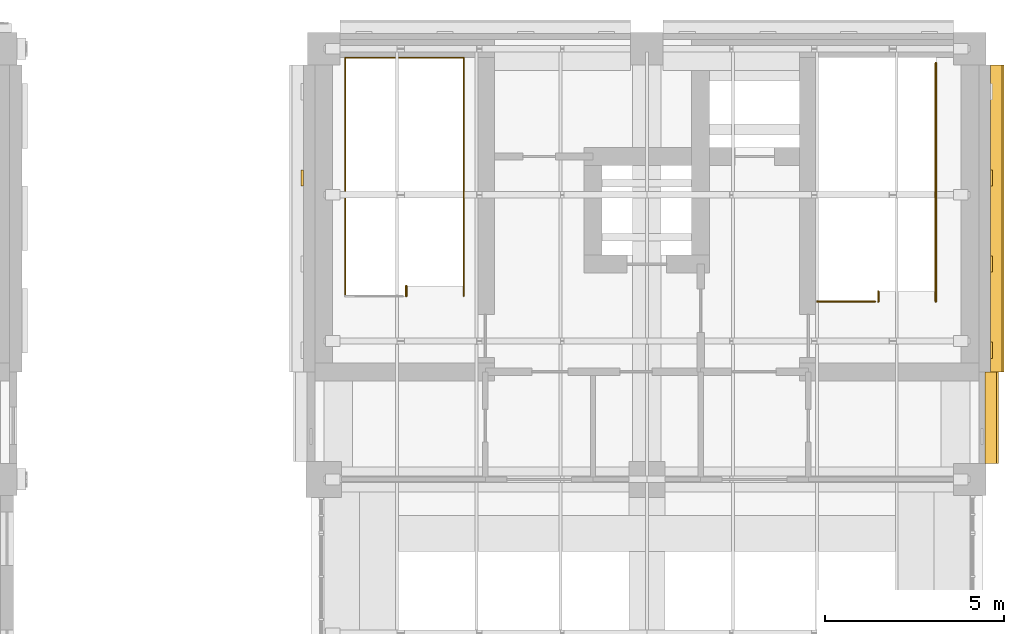
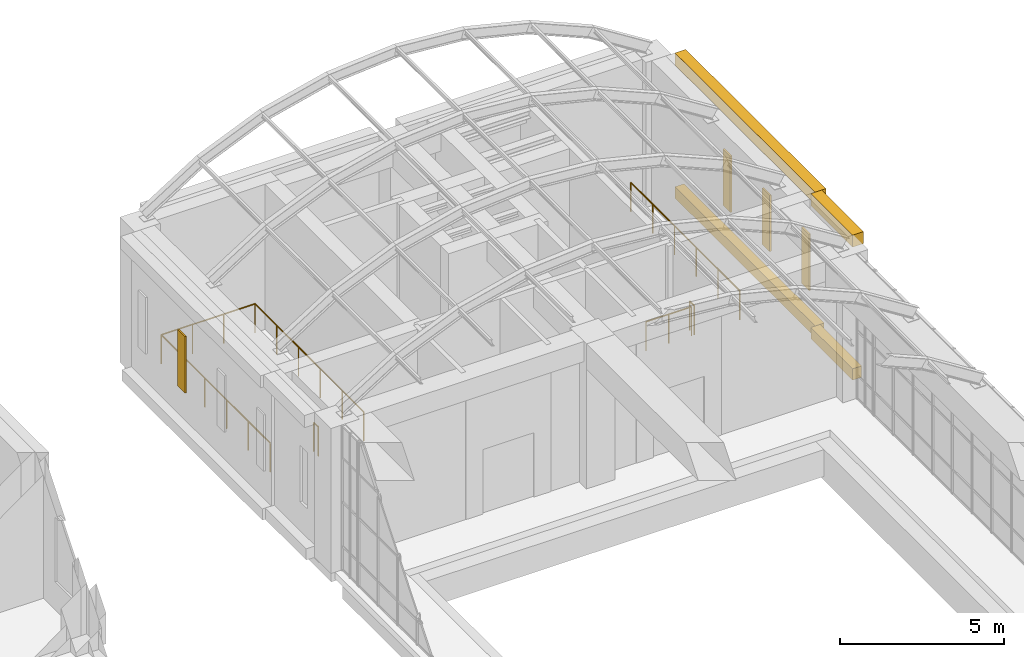
# One storey, part 35 of 39: 8 coverings, 5 railings.
"""IFC4 building model written with IfcOpenShell, lengths in metres."""

from ifc_helpers import new_model, si_unit, direction, frame, origin, origin_2d, place, context, subcontext, project, spatial, rectangle, circle, extrude, material, layer, layer_set, type_object, element, save


model = new_model("IFC4")

# Units and contexts
model_context = context("Model", 3, precision=1e-05, world=origin(), true_north=direction((0.0, 1.0)))
body_context = subcontext(model_context, "Body", "Model", "MODEL_VIEW")
ifc_project = project(units=[si_unit("LENGTHUNIT", "METRE"), si_unit("AREAUNIT", "SQUARE_METRE"), si_unit("VOLUMEUNIT", "CUBIC_METRE"), si_unit("PLANEANGLEUNIT", "RADIAN"), si_unit("MASSUNIT", "GRAM", prefix="KILO")], contexts=[model_context])

# Site, building, storey
site_placement = place(None, origin())
site = spatial("IfcSite", under=ifc_project, at=site_placement, CompositionType="ELEMENT")
building_placement = place(site_placement, origin())
building = spatial("IfcBuilding", under=site, at=building_placement, Name="Aurelan Courthouse", CompositionType="ELEMENT")
storey_placement = place(building_placement, frame((0.0, 0.0, 28.199951171875)))
storey = spatial("IfcBuildingStorey", under=building, at=storey_placement, Name="L05", CompositionType="ELEMENT", Elevation=28.199951171875)

# Coverings
ifc_material_1 = material(Name="Bronze sheet cladding")
ifc_layer = layer(ifc_material_1, 0.06005859375)
ifc_layer_set = layer_set([ifc_layer], Name="Bronze sheet cladding")
covering_type_1 = type_object("IfcCoveringType", Name="Law Library blind bay 450 x 2100", PredefinedType="CLADDING", material=ifc_layer_set)
for number, where, z_axis, x_axis, name in (
    (1, (90.60009765625, 57.60009765625, 1.5), (0.0, 0.0, 1.0), (1.0, 0.0, 0.0), "Blind bay BB-V3-L05-009"),
    (2, (90.60009765625, 60.0, 1.5), (0.0, 0.0, 1.0), (1.0, 0.0, 0.0), "Blind bay BB-V3-L05-010"),
    (3, (90.60009765625, 62.39990234375, 1.5), (0.0, 0.0, 1.0), (1.0, 0.0, 0.0), "Blind bay BB-V3-L05-011"),
    (4, (71.39990234375, 62.39990234375, 1.5), (0.0, 0.0, 1.0), (1.0, 0.0, 0.0), "Blind bay BB-V3-L05-015"),
):
    element("IfcCovering", number, at=place(storey_placement, frame(where, z_axis=z_axis, x_axis=x_axis)), inside=storey, type_object=covering_type_1, Name=name, PredefinedType="CLADDING", context=body_context, shape_type="SweptSolid", body=[
        extrude(rectangle(XDim=0.06005859375, YDim=0.449951171875, at=origin_2d()), origin(), (0.0, 0.0, 1.0), 2.10009765625),
    ])
ifc_material_2 = material(Name="Limestone cladding", Category="masonry")
covering_type_2 = type_object("IfcCoveringType", Name="Law Library cornice 450 x 380", PredefinedType="CLADDING", material=ifc_material_2)
covering_1_placement = place(storey_placement, frame((90.610107421875, 55.72509765625, 4.9501953125), z_axis=(0.0, 0.0, 1.0), x_axis=(1.0, 0.0, 0.0)))
element("IfcCovering", 5, at=covering_1_placement, inside=storey, type_object=covering_type_2, Name="Cornice CRN-V3-001", PredefinedType="CLADDING", context=body_context, shape_type="SweptSolid", body=[
    extrude(rectangle(XDim=0.3798828125, YDim=2.550048828125, at=origin_2d()), origin(), (0.0, 0.0, 1.0), 0.449951171875),
])
covering_2_placement = place(storey_placement, frame((90.760009765625, 61.27490234375, 4.9501953125), z_axis=(0.0, 0.0, 1.0), x_axis=(1.0, 0.0, 0.0)))
element("IfcCovering", 6, at=covering_2_placement, inside=storey, type_object=covering_type_2, Name="Cornice CRN-V3-004", PredefinedType="CLADDING", context=body_context, shape_type="SweptSolid", body=[
    extrude(rectangle(XDim=0.3798828125, YDim=8.550048828125, at=origin_2d()), origin(), (0.0, 0.0, 1.0), 0.449951171875),
])
covering_type_3 = type_object("IfcCoveringType", Name="Law Library string course 420 x 320", PredefinedType="CLADDING", material=ifc_material_2)
covering_3_placement = place(storey_placement, frame((90.580078125, 55.72509765625, 0.0), z_axis=(0.0, 0.0, 1.0), x_axis=(1.0, 0.0, 0.0)))
element("IfcCovering", 7, at=covering_3_placement, inside=storey, type_object=covering_type_3, Name="String course SC-V3-011", PredefinedType="CLADDING", context=body_context, shape_type="SweptSolid", body=[
    extrude(rectangle(XDim=0.320068359375, YDim=2.550048828125, at=origin_2d()), origin(), (0.0, 0.0, 1.0), 0.419921875),
])
covering_4_placement = place(storey_placement, frame((90.72998046875, 61.27490234375, 0.0), z_axis=(0.0, 0.0, 1.0), x_axis=(1.0, 0.0, 0.0)))
element("IfcCovering", 8, at=covering_4_placement, inside=storey, type_object=covering_type_3, Name="String course SC-V3-014", PredefinedType="CLADDING", context=body_context, shape_type="SweptSolid", body=[
    extrude(rectangle(XDim=0.320068359375, YDim=8.550048828125, at=origin_2d()), origin(), (0.0, 0.0, 1.0), 0.419921875),
])

# Railings
ifc_material_3 = material(Name="Steel S355", Category="steel")
railing_type = type_object("IfcRailingType", Name="Stair guard 1100", PredefinedType="GUARDRAIL", material=ifc_material_3)
railing_1_placement = place(storey_placement, frame((72.60009765625, 59.110107421875, 0.0)))
element("IfcRailing", 9, at=railing_1_placement, inside=storey, type_object=railing_type, Name="Guard ST-3A-L05-G2", PredefinedType="GUARDRAIL", context=body_context, shape_type="SweptSolid", body=[
    extrude(circle(Radius=0.02392578125, at=origin_2d()), frame((0.0, 0.0, 1.076171875), z_axis=(0.0, 1.0, 0.0), x_axis=(-1.0, 0.0, 0.0)), (0.0, 0.0, 1.0), 6.639892578125),
    extrude(circle(Radius=0.02392578125, at=origin_2d()), frame((0.0, 6.639892578125, 1.076171875), z_axis=(1.0, 0.0, 0.0), x_axis=(0.0, 1.0, 0.0)), (0.0, 0.0, 1.0), 3.2998046875),
    extrude(circle(Radius=0.02392578125, at=origin_2d()), frame((3.2998046875, 6.639892578125, 1.076171875), z_axis=(0.0, -1.0, 0.0), x_axis=(1.0, 0.0, 0.0)), (0.0, 0.0, 1.0), 6.639892578125),
    extrude(circle(Radius=0.02099609375, at=origin_2d()), origin(), (0.0, 0.0, 1.0), 1.052001953125),
    extrude(circle(Radius=0.02099609375, at=origin_2d()), frame((0.0, 1.327880859375, 0.0)), (0.0, 0.0, 1.0), 1.052001953125),
    extrude(circle(Radius=0.02099609375, at=origin_2d()), frame((0.0, 2.656005859375, 0.0)), (0.0, 0.0, 1.0), 1.052001953125),
    extrude(circle(Radius=0.02099609375, at=origin_2d()), frame((0.0, 3.98388671875, 0.0)), (0.0, 0.0, 1.0), 1.052001953125),
    extrude(circle(Radius=0.02099609375, at=origin_2d()), frame((0.0, 5.31201171875, 0.0)), (0.0, 0.0, 1.0), 1.052001953125),
    extrude(circle(Radius=0.02099609375, at=origin_2d()), frame((0.0, 6.639892578125, 0.0)), (0.0, 0.0, 1.0), 1.052001953125),
    extrude(circle(Radius=0.02099609375, at=origin_2d()), frame((1.099853515625, 6.639892578125, 0.0)), (0.0, 0.0, 1.0), 1.052001953125),
    extrude(circle(Radius=0.02099609375, at=origin_2d()), frame((2.199951171875, 6.639892578125, 0.0)), (0.0, 0.0, 1.0), 1.052001953125),
    extrude(circle(Radius=0.02099609375, at=origin_2d()), frame((3.2998046875, 6.639892578125, 0.0)), (0.0, 0.0, 1.0), 1.052001953125),
    extrude(circle(Radius=0.02099609375, at=origin_2d()), frame((3.2998046875, 5.31201171875, 0.0)), (0.0, 0.0, 1.0), 1.052001953125),
    extrude(circle(Radius=0.02099609375, at=origin_2d()), frame((3.2998046875, 3.98388671875, 0.0)), (0.0, 0.0, 1.0), 1.052001953125),
    extrude(circle(Radius=0.02099609375, at=origin_2d()), frame((3.2998046875, 2.656005859375, 0.0)), (0.0, 0.0, 1.0), 1.052001953125),
    extrude(circle(Radius=0.02099609375, at=origin_2d()), frame((3.2998046875, 1.327880859375, 0.0)), (0.0, 0.0, 1.0), 1.052001953125),
    extrude(circle(Radius=0.02099609375, at=origin_2d()), frame((3.2998046875, 0.0, 0.0)), (0.0, 0.0, 1.0), 1.052001953125),
])
railing_2_placement = place(storey_placement, frame((74.300048828125, 59.110107421875, 0.0)))
element("IfcRailing", 10, at=railing_2_placement, inside=storey, type_object=railing_type, Name="Guard ST-3A-L05-G3", PredefinedType="GUARDRAIL", context=body_context, shape_type="SweptSolid", body=[
    extrude(circle(Radius=0.02392578125, at=origin_2d()), frame((0.0, 0.0, 1.076171875), z_axis=(0.0, 1.0, 0.0), x_axis=(-1.0, 0.0, 0.0)), (0.0, 0.0, 1.0), 0.27978515625),
    extrude(circle(Radius=0.02099609375, at=origin_2d()), origin(), (0.0, 0.0, 1.0), 1.052001953125),
    extrude(circle(Radius=0.02099609375, at=origin_2d()), frame((0.0, 0.27978515625, 0.0)), (0.0, 0.0, 1.0), 1.052001953125),
])
railing_3_placement = place(storey_placement, frame((87.35009765625, 58.9599609375, 0.0)))
element("IfcRailing", 11, at=railing_3_placement, inside=storey, type_object=railing_type, Name="Guard ST-3B-L05-G1", PredefinedType="GUARDRAIL", context=body_context, shape_type="SweptSolid", body=[
    extrude(circle(Radius=0.02392578125, at=origin_2d()), frame((0.0, 0.0, 1.076171875), z_axis=(-1.0, 0.0, 0.0), x_axis=(0.0, -1.0, 0.0)), (0.0, 0.0, 1.0), 1.60009765625),
    extrude(circle(Radius=0.02099609375, at=origin_2d()), origin(), (0.0, 0.0, 1.0), 1.052001953125),
    extrude(circle(Radius=0.02099609375, at=origin_2d()), frame((-0.800048828125, 0.0, 0.0)), (0.0, 0.0, 1.0), 1.052001953125),
    extrude(circle(Radius=0.02099609375, at=origin_2d()), frame((-1.60009765625, 0.0, 0.0)), (0.0, 0.0, 1.0), 1.052001953125),
])
railing_4_placement = place(storey_placement, frame((89.050048828125, 65.60009765625, 0.0)))
element("IfcRailing", 12, at=railing_4_placement, inside=storey, type_object=railing_type, Name="Guard ST-3B-L05-G2", PredefinedType="GUARDRAIL", context=body_context, shape_type="SweptSolid", body=[
    extrude(circle(Radius=0.02392578125, at=origin_2d()), frame((0.0, 0.0, 1.076171875), z_axis=(0.0, -1.0, 0.0), x_axis=(1.0, 0.0, 0.0)), (0.0, 0.0, 1.0), 6.64013671875),
    extrude(circle(Radius=0.02099609375, at=origin_2d()), origin(), (0.0, 0.0, 1.0), 1.052001953125),
    extrude(circle(Radius=0.02099609375, at=origin_2d()), frame((0.0, -1.328125, 0.0)), (0.0, 0.0, 1.0), 1.052001953125),
    extrude(circle(Radius=0.02099609375, at=origin_2d()), frame((0.0, -2.656005859375, 0.0)), (0.0, 0.0, 1.0), 1.052001953125),
    extrude(circle(Radius=0.02099609375, at=origin_2d()), frame((0.0, -3.984130859375, 0.0)), (0.0, 0.0, 1.0), 1.052001953125),
    extrude(circle(Radius=0.02099609375, at=origin_2d()), frame((0.0, -5.31201171875, 0.0)), (0.0, 0.0, 1.0), 1.052001953125),
    extrude(circle(Radius=0.02099609375, at=origin_2d()), frame((0.0, -6.64013671875, 0.0)), (0.0, 0.0, 1.0), 1.052001953125),
])
railing_5_placement = place(storey_placement, frame((87.449951171875, 58.9599609375, 0.0)))
element("IfcRailing", 13, at=railing_5_placement, inside=storey, type_object=railing_type, Name="Guard ST-3B-L05-G3", PredefinedType="GUARDRAIL", context=body_context, shape_type="SweptSolid", body=[
    extrude(circle(Radius=0.02392578125, at=origin_2d()), frame((0.0, 0.0, 1.076171875), z_axis=(0.0, 1.0, 0.0), x_axis=(-1.0, 0.0, 0.0)), (0.0, 0.0, 1.0), 0.280029296875),
    extrude(circle(Radius=0.02099609375, at=origin_2d()), origin(), (0.0, 0.0, 1.0), 1.052001953125),
    extrude(circle(Radius=0.02099609375, at=origin_2d()), frame((0.0, 0.280029296875, 0.0)), (0.0, 0.0, 1.0), 1.052001953125),
])

save(model, "model.ifc")
